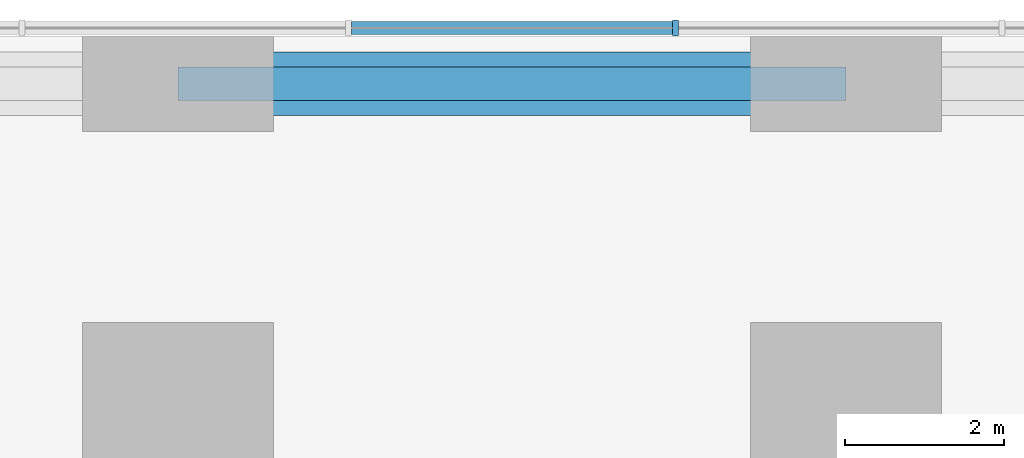
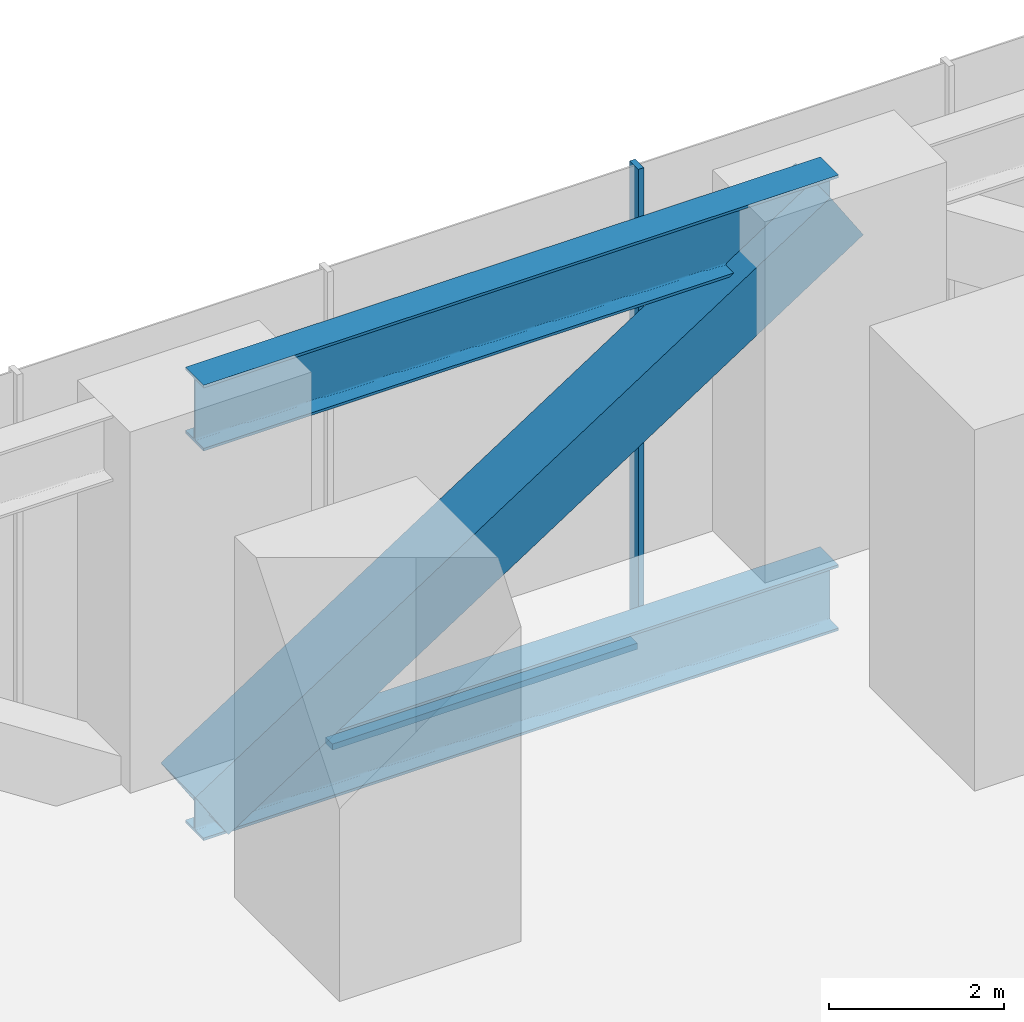
# One storey, part 6 of 11: 5 members, 1 element without a shape of its own.
"""IFC4 building model written with IfcOpenShell, lengths in metres."""

import ifcopenshell
import ifcopenshell.guid

model = None  # the IFC model being written
_history = None  # IfcOwnerHistory: only IFC2X3 demands one
_inside = {}  # id of a spatial element -> (the spatial element, [elements in it])
_under = {}  # id of a project, library or spatial element -> (it, [spatial elements below it])
_declared = {}  # id of a project -> (the project, [libraries it declares])
_typed = {}  # id of a type object -> (the type object, [elements of that type])
_made_of = {}  # id of a material, layer set ... -> (it, [elements and type objects made of it])


def new_model(schema):
    """Start an empty IFC model of exactly this schema.

    Asked for "IFC4X3", IfcOpenShell would pick the latest addendum, in which some entities
    have other attributes; the version numbers below select the first issue.
    IFC2X3 requires an IfcOwnerHistory on every rooted entity: one is made here for all.
    """
    global model, _history
    if schema == "IFC4X3":
        model = ifcopenshell.file(schema_version=(4, 3, 0, 0))
    else:
        model = ifcopenshell.file(schema=schema)
    _inside.clear()
    _under.clear()
    _declared.clear()
    _typed.clear()
    _made_of.clear()
    _history = None
    if model.schema == "IFC2X3":
        org = make("IfcOrganization", Name="unknown")
        user = make(
            "IfcPersonAndOrganization",
            ThePerson=make("IfcPerson", FamilyName="unknown"),
            TheOrganization=org,
        )
        app = make(
            "IfcApplication",
            ApplicationDeveloper=org,
            Version="unknown",
            ApplicationFullName="unknown",
            ApplicationIdentifier="unknown",
        )
        _history = make(
            "IfcOwnerHistory",
            OwningUser=user,
            OwningApplication=app,
            ChangeAction="ADDED",
            CreationDate=0,
        )
    return model


def make(cls, **values):
    """One entity of the class cls with the attributes given. An attribute that is None is left unset."""
    return model.create_entity(
        cls, **{name: value for name, value in values.items() if value is not None}
    )


def rooted(cls, **values):
    """An entity with a GlobalId (a new one), such as an element, a storey or a relation."""
    return make(cls, GlobalId=ifcopenshell.guid.new(), OwnerHistory=_history, **values)


def si_unit(unit_type, name, prefix=None):
    """IfcSIUnit, for example si_unit("LENGTHUNIT", "METRE", prefix="MILLI")."""
    return make("IfcSIUnit", UnitType=unit_type, Prefix=prefix, Name=name)


def assignment(units):
    """IfcUnitAssignment: the units of a project."""
    return None if units is None else make("IfcUnitAssignment", Units=units)


def point(xyz):
    """IfcCartesianPoint."""
    return None if xyz is None else make("IfcCartesianPoint", Coordinates=xyz)


def direction(xyz):
    """IfcDirection."""
    return None if xyz is None else make("IfcDirection", DirectionRatios=xyz)


def frame(location, z_axis=None, x_axis=None):
    """IfcAxis2Placement3D, a coordinate frame: its origin and axes. An axis left out is left unset."""
    return make(
        "IfcAxis2Placement3D",
        Location=point(location),
        Axis=direction(z_axis),
        RefDirection=direction(x_axis),
    )


def frame_2d(location, x_axis=None):
    """IfcAxis2Placement2D, a coordinate frame in the plane: its origin and x axis."""
    return make(
        "IfcAxis2Placement2D", Location=point(location), RefDirection=direction(x_axis)
    )


def origin():
    """The frame at (0, 0, 0) with its axes left unset."""
    return frame((0.0, 0.0, 0.0))


def origin_2d():
    """The frame at (0, 0) in the plane with its x axis left unset."""
    return frame_2d((0.0, 0.0))


def place(relative_to, where):
    """IfcLocalPlacement: puts the frame where relative to a parent placement (None: the world)."""
    return make(
        "IfcLocalPlacement", PlacementRelTo=relative_to, RelativePlacement=where
    )


def context(
    kind, dimensions, precision=None, world=None, true_north=None, identifier=None
):
    """IfcGeometricRepresentationContext, for example the 3D "Model" context."""
    return make(
        "IfcGeometricRepresentationContext",
        ContextIdentifier=identifier,
        ContextType=kind,
        CoordinateSpaceDimension=dimensions,
        Precision=precision,
        WorldCoordinateSystem=world,
        TrueNorth=true_north,
    )


def subcontext(parent, identifier, kind, view, scale=None):
    """IfcGeometricRepresentationSubContext, for example "Body" below "Model"."""
    return make(
        "IfcGeometricRepresentationSubContext",
        ContextIdentifier=identifier,
        ContextType=kind,
        ParentContext=parent,
        TargetScale=scale,
        TargetView=view,
    )


def project(units=None, contexts=None):
    """IfcProject with its units and contexts."""
    return rooted(
        "IfcProject",
        Name="project",
        RepresentationContexts=contexts,
        UnitsInContext=assignment(units),
    )


def spatial(cls, under=None, at=None, **own):
    """A site, building, storey or space (cls), placed at a placement, below another one or the project."""
    s = rooted(cls, ObjectPlacement=at, **own)
    if under is not None:
        _under.setdefault(under.id(), (under, []))[1].append(s)
    return s


def profile(cls, at=None, kind="AREA", **sizes):
    """A parametric profile (cls). Its sizes go by their IFC names, for example OverallWidth=200.0."""
    return make(cls, ProfileType=kind, Position=at, **sizes)


def rectangle(**sizes):
    """IfcRectangleProfileDef."""
    return profile("IfcRectangleProfileDef", **sizes)


def hollow_rectangle(**sizes):
    """IfcRectangleHollowProfileDef."""
    return profile("IfcRectangleHollowProfileDef", **sizes)


def i_section(**sizes):
    """IfcIShapeProfileDef."""
    return profile("IfcIShapeProfileDef", **sizes)


def extrude(swept, where, along, depth):
    """IfcExtrudedAreaSolid: the profile swept, set in the frame where, extruded along a direction by depth."""
    return make(
        "IfcExtrudedAreaSolid",
        SweptArea=swept,
        Position=where,
        ExtrudedDirection=direction(along),
        Depth=depth,
    )


def shape(context_of_items, identifier, shape_type, items):
    """IfcShapeRepresentation: the items that make up one representation, for example the "Body"."""
    return make(
        "IfcShapeRepresentation",
        ContextOfItems=context_of_items,
        RepresentationIdentifier=identifier,
        RepresentationType=shape_type,
        Items=items,
    )


def material(Name=None, Category=None):
    """IfcMaterial."""
    return make("IfcMaterial", Name=Name, Category=Category)


def material_profile(
    of_material, cross_section, Name=None, Category=None, Priority=None
):
    """IfcMaterialProfile: a cross section and its material."""
    return make(
        "IfcMaterialProfile",
        Name=Name,
        Material=of_material,
        Profile=cross_section,
        Priority=Priority,
        Category=Category,
    )


def profile_set(profiles, Name=None, composite=None):
    """IfcMaterialProfileSet."""
    return make(
        "IfcMaterialProfileSet",
        Name=Name,
        MaterialProfiles=profiles,
        CompositeProfile=composite,
    )


def made_of(thing, what):
    """Note that an element or type object is made of a material, layer set ...; save() writes the relation."""
    if what is not None:
        _made_of.setdefault(what.id(), (what, []))[1].append(thing)
    return thing


def type_object(cls, material=None, **own):
    """A type object (cls), such as IfcWallType, which elements share."""
    return made_of(rooted(cls, **own), material)


def element(
    cls,
    number,
    at=None,
    inside=None,
    cuts=None,
    type_object=None,
    material=None,
    context=None,
    identifier="Body",
    shape_type=None,
    held_by="IfcProductDefinitionShape",
    body=None,
    shapes=None,
    **own,
):
    """One element of the class cls, such as IfcWall. Its Tag is "e" and its number.

    at: its placement. inside: the storey or other place that contains it. cuts: it is an
    opening in that element (IfcRelVoidsElement). A single representation is given by context,
    identifier, shape_type and body (its items); several are given by shapes. held_by: the class
    of the entity that holds the representations. save() writes the other relations.
    """
    e = rooted(cls, Tag="e%d" % number, ObjectPlacement=at, **own)
    if body is not None:
        shapes = [shape(context, identifier, shape_type, body)]
    if shapes is not None:
        e.Representation = make(held_by, Representations=shapes)
    if inside is not None:
        _inside.setdefault(inside.id(), (inside, []))[1].append(e)
    if cuts is not None:
        rooted(
            "IfcRelVoidsElement", RelatingBuildingElement=cuts, RelatedOpeningElement=e
        )
    if type_object is not None:
        _typed.setdefault(type_object.id(), (type_object, []))[1].append(e)
    return made_of(e, material)


def aggregate(whole, parts):
    """IfcRelAggregates: a whole, such as a stair, and the parts it consists of."""
    return rooted("IfcRelAggregates", RelatingObject=whole, RelatedObjects=parts)


def save(model, path):
    """Write the relations noted so far, then the file.

    IfcRelAggregates (storeys below a building ...), IfcRelContainedInSpatialStructure (elements
    in a storey), IfcRelDefinesByType, IfcRelAssociatesMaterial and IfcRelDeclares: one each for
    every whole, place, type object, material and project.
    """
    for whole, parts in _under.values():
        aggregate(whole, parts)
    for where, things in _inside.values():
        rooted(
            "IfcRelContainedInSpatialStructure",
            RelatedElements=things,
            RelatingStructure=where,
        )
    for kind, things in _typed.values():
        rooted("IfcRelDefinesByType", RelatedObjects=things, RelatingType=kind)
    for what, things in _made_of.values():
        rooted("IfcRelAssociatesMaterial", RelatedObjects=things, RelatingMaterial=what)
    for by, libraries in _declared.values():
        rooted("IfcRelDeclares", RelatingContext=by, RelatedDefinitions=libraries)
    model.write(path)


model = new_model("IFC4")

# Units and contexts
model_context = context("Model", 3, precision=1e-05, world=origin(), true_north=direction((0.0, 1.0)))
body_context = subcontext(model_context, "Body", "Model", "MODEL_VIEW")
ifc_project = project(units=[si_unit("LENGTHUNIT", "METRE"), si_unit("AREAUNIT", "SQUARE_METRE"), si_unit("VOLUMEUNIT", "CUBIC_METRE"), si_unit("PLANEANGLEUNIT", "RADIAN"), si_unit("MASSUNIT", "GRAM", prefix="KILO")], contexts=[model_context])

# Site, building, storey
site_placement = place(None, origin())
site = spatial("IfcSite", under=ifc_project, at=site_placement, CompositionType="ELEMENT")
building_placement = place(site_placement, origin())
building = spatial("IfcBuilding", under=site, at=building_placement, Name="Dunama Terrace Hotel", CompositionType="ELEMENT")
storey_placement = place(building_placement, frame((0.0, 0.0, 88.199951171875)))
storey = spatial("IfcBuildingStorey", under=building, at=storey_placement, Name="L22", CompositionType="ELEMENT", Elevation=88.199951171875)

# Member
ifc_material_1 = material(Name="Steel S355", Category="steel")
ifc_material_profile_1 = material_profile(ifc_material_1, hollow_rectangle(XDim=0.800048828125, YDim=0.800048828125, WallThickness=0.06005859375, at=origin_2d()), Name="BOX 800x800x60")
ifc_profile_set_1 = profile_set([ifc_material_profile_1], Name="Steel S355")
member_type_1 = type_object("IfcMemberType", Name="Brace BOX 800x800x60", PredefinedType="BRACE", material=ifc_profile_set_1)
member_1_placement = place(storey_placement, frame((25.199951171875, 58.199951171875, -0.8603515625), z_axis=(0.838906226141, 0.0, 0.544275981229), x_axis=(0.0, 1.0, 0.0)))
element("IfcMember", 1, at=member_1_placement, inside=storey, type_object=member_type_1, Name="Belt truss diagonal L22", PredefinedType="BRACE", context=body_context, shape_type="SweptSolid", body=[
    extrude(hollow_rectangle(XDim=0.800048828125, YDim=0.800048828125, WallThickness=0.06005859375, at=origin_2d()), origin(), (0.0, 0.0, 1.0), 10.01318359375),
])

# Curtain wall, members
ifc_material_2 = material(Name="Aluminium curtain wall system", Category="aluminium")
curtain_wall_type = type_object("IfcCurtainWallType", Name="Plant floor louvred glazing CW-G", PredefinedType="NOTDEFINED", material=ifc_material_2)
curtain_wall_placement = place(storey_placement, origin())
curtain_wall = element("IfcCurtainWall", 2, at=curtain_wall_placement, inside=storey, type_object=curtain_wall_type, Name="Plant floor louvred glazing CW-G L22", PredefinedType="NOTDEFINED")
ifc_material_3 = material(Name="Aluminium mullion", Category="aluminium")
ifc_material_profile_2 = material_profile(ifc_material_3, rectangle(XDim=0.074951171875, YDim=0.199951171875, at=origin_2d()), Name="CWG MULLION 75X200")
ifc_profile_set_2 = profile_set([ifc_material_profile_2], Name="Aluminium mullion")
member_type_2 = type_object("IfcMemberType", Name="CWG mullion 75x200", PredefinedType="MULLION", material=ifc_profile_set_2)
member_2_placement = place(storey_placement, frame((31.4541015625, 58.89990234375, -1.321044921875), z_axis=(0.0, 0.0, 1.0), x_axis=(-1.0, 0.0, 0.0)))
member_2 = element("IfcMember", 3, at=member_2_placement, type_object=member_type_2, Name="CWG mullion", PredefinedType="MULLION", context=body_context, shape_type="SweptSolid", body=[
    extrude(rectangle(XDim=0.074951171875, YDim=0.199951171875, at=origin_2d()), origin(), (0.0, 0.0, 1.0), 6.72119140625),
])
ifc_material_4 = material(Name="Aluminium transom", Category="aluminium")
ifc_material_profile_3 = material_profile(ifc_material_4, rectangle(XDim=0.159912109375, YDim=0.0849609375, at=origin_2d()), Name="CWG TRANSOM 160X85")
ifc_profile_set_3 = profile_set([ifc_material_profile_3], Name="Aluminium transom")
member_type_3 = type_object("IfcMemberType", Name="CWG transom 160x85", PredefinedType="USERDEFINED", material=ifc_profile_set_3)
member_3_placement = place(storey_placement, frame((31.416015625, 58.89990234375, -1.278564453125), z_axis=(-1.0, 0.0, 0.0), x_axis=(0.0, -1.0, 0.0)))
member_3 = element("IfcMember", 4, at=member_3_placement, type_object=member_type_3, Name="CWG transom", ObjectType="TRANSOM", PredefinedType="USERDEFINED", context=body_context, shape_type="SweptSolid", body=[
    extrude(rectangle(XDim=0.159912109375, YDim=0.0849609375, at=origin_2d()), origin(), (0.0, 0.0, 1.0), 4.031982421875),
])
aggregate(curtain_wall, [member_2, member_3])

# Members
ifc_material_5 = material(Name="Steel S355", Category="steel")
ifc_material_profile_4 = material_profile(ifc_material_5, i_section(OverallWidth=0.42041015625, OverallDepth=0.9208984375, WebThickness=0.021484375, FlangeThickness=0.03662109375, FilletRadius=0.024169921875, at=origin_2d()), Name="UB 914x419x388")
ifc_profile_set_4 = profile_set([ifc_material_profile_4], Name="Steel S355")
member_type_4 = type_object("IfcMemberType", Name="Truss member UB 914x419x388", PredefinedType="CHORD", material=ifc_profile_set_4)
for number, where, z_axis, x_axis, name in (
    (5, (25.199951171875, 58.199951171875, 4.589599609375), (1.0, 0.0, 0.0), (0.0, 1.0, 0.0), "Belt truss top chord L22"),
    (6, (25.199951171875, 58.199951171875, -0.8603515625), (1.0, 0.0, 0.0), (0.0, 1.0, 0.0), "Belt truss bottom chord L22"),
):
    element("IfcMember", number, at=place(storey_placement, frame(where, z_axis=z_axis, x_axis=x_axis)), inside=storey, type_object=member_type_4, Name=name, PredefinedType="CHORD", context=body_context, shape_type="SweptSolid", body=[
        extrude(i_section(OverallWidth=0.42041015625, OverallDepth=0.9208984375, WebThickness=0.021484375, FlangeThickness=0.03662109375, FilletRadius=0.024169921875, at=origin_2d()), origin(), (0.0, 0.0, 1.0), 8.400146484375),
    ])

save(model, "model.ifc")
